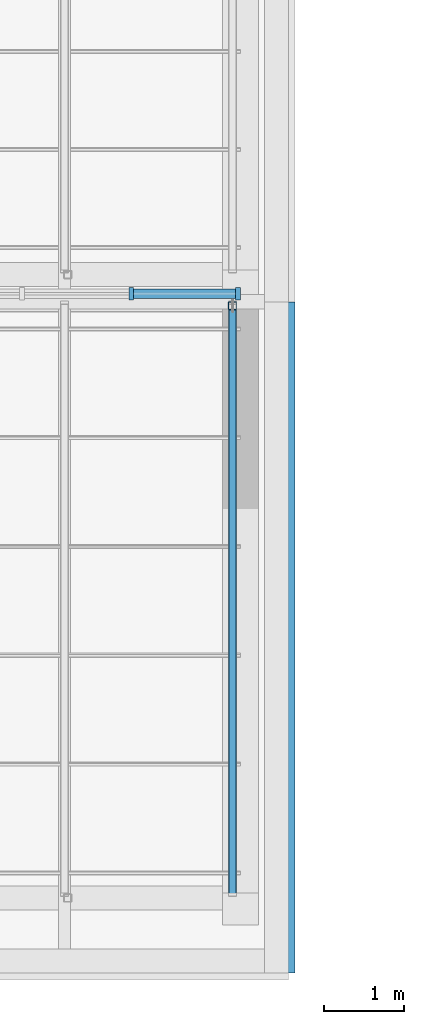
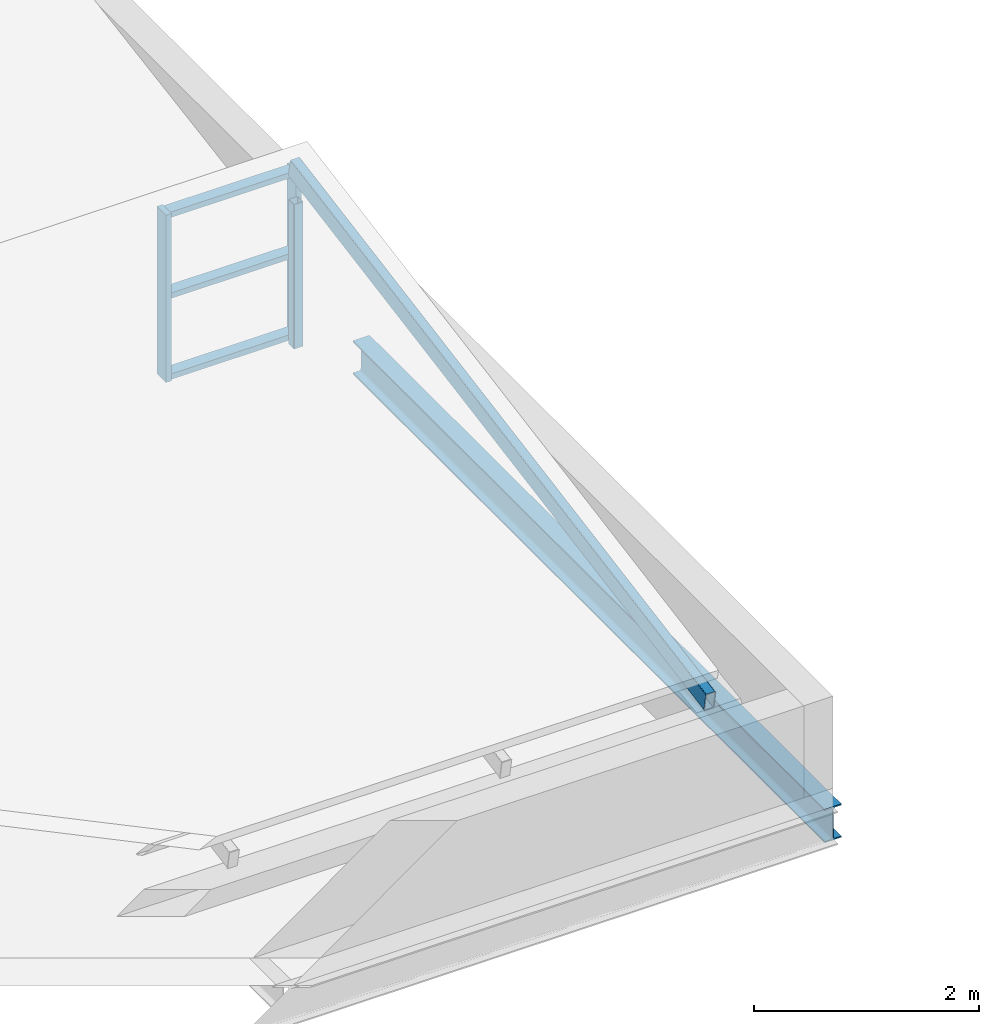
# One storey, part 17 of 42: 7 members, 1 beam, 1 element without a shape of its own.
"""IFC4 building model written with IfcOpenShell, lengths in metres."""

from ifc_helpers import new_model, si_unit, direction, frame, origin, origin_2d, place, context, subcontext, project, spatial, rectangle, hollow_rectangle, i_section, extrude, material, layer, layer_set, material_profile, profile_set, type_object, element, aggregate, save


model = new_model("IFC4")

# Units and contexts
model_context = context("Model", 3, precision=1e-05, world=origin(), true_north=direction((0.0, 1.0)))
body_context = subcontext(model_context, "Body", "Model", "MODEL_VIEW")
ifc_project = project(units=[si_unit("LENGTHUNIT", "METRE"), si_unit("AREAUNIT", "SQUARE_METRE"), si_unit("VOLUMEUNIT", "CUBIC_METRE"), si_unit("PLANEANGLEUNIT", "RADIAN"), si_unit("MASSUNIT", "GRAM", prefix="KILO")], contexts=[model_context])

# Site, building, storey
site_placement = place(None, origin())
site = spatial("IfcSite", under=ifc_project, at=site_placement, CompositionType="ELEMENT")
building_placement = place(site_placement, origin())
building = spatial("IfcBuilding", under=site, at=building_placement, Name="Ardhachandra Cancer Care Centre", CompositionType="ELEMENT")
storey_placement = place(building_placement, frame((0.0, 0.0, 22.5)))
storey = spatial("IfcBuildingStorey", under=building, at=storey_placement, Name="L05", CompositionType="ELEMENT", Elevation=22.5)

# Beam
ifc_material_1 = material(Name="Steel E350 (IS 2062)", Category="steel")
ifc_material_profile_1 = material_profile(ifc_material_1, i_section(OverallWidth=0.172119140625, OverallDepth=0.364013671875, WebThickness=0.00927734375, FlangeThickness=0.0146484375, FilletRadius=0.01806640625, at=origin_2d()), Name="NPB 350x170x66.04")
ifc_profile_set_1 = profile_set([ifc_material_profile_1], Name="Steel E350 (IS 2062)")
beam_type = type_object("IfcBeamType", Name="Beam NPB 350x170x66.04", PredefinedType="BEAM", material=ifc_profile_set_1)
beam_placement = place(storey_placement, frame((44.39990234375, 71.39990234375, -0.382080078125), z_axis=(0.0, 1.0, 0.0), x_axis=(-1.0, 0.0, 0.0)))
element("IfcBeam", 1, at=beam_placement, inside=storey, type_object=beam_type, Name="Edge girder H5-J5", PredefinedType="BEAM", context=body_context, shape_type="SweptSolid", body=[
    extrude(i_section(OverallWidth=0.172119140625, OverallDepth=0.364013671875, WebThickness=0.00927734375, FlangeThickness=0.0146484375, FilletRadius=0.01806640625, at=origin_2d()), origin(), (0.0, 0.0, 1.0), 8.400146484375),
])

# Curtain wall, members
ifc_material_2 = material(Name="Aluminium extrusion", Category="aluminium")
ifc_layer = layer(ifc_material_2, 0.14990234375)
ifc_layer_set = layer_set([ifc_layer], Name="Aluminium extrusion")
curtain_wall_type = type_object("IfcCurtainWallType", Name="Curtain wall run", PredefinedType="NOTDEFINED", material=ifc_layer_set)
curtain_wall_placement = place(storey_placement, origin())
curtain_wall = element("IfcCurtainWall", 2, at=curtain_wall_placement, inside=storey, type_object=curtain_wall_type, Name="Curtain wall L05 n/0019200_0079900", PredefinedType="NOTDEFINED")
ifc_material_3 = material(Name="Aluminium extrusion", Category="aluminium")
ifc_material_profile_2 = material_profile(ifc_material_3, rectangle(XDim=0.159912109375, YDim=0.06005859375, at=origin_2d()), Name="Curtain wall mullion 60 x 160")
ifc_profile_set_2 = profile_set([ifc_material_profile_2], Name="Aluminium extrusion")
member_type_1 = type_object("IfcMemberType", Name="Curtain wall mullion 60 x 160", PredefinedType="MULLION", material=ifc_profile_set_2)
member_1_placement = place(storey_placement, frame((42.433349609375, 79.89990234375, 0.0), z_axis=(0.0, 0.0, 1.0), x_axis=(0.0, 1.0, 0.0)))
member_1 = element("IfcMember", 3, at=member_1_placement, type_object=member_type_1, Name="CW mullion 18", PredefinedType="MULLION", context=body_context, shape_type="SweptSolid", body=[
    extrude(rectangle(XDim=0.159912109375, YDim=0.06005859375, at=origin_2d()), origin(), (0.0, 0.0, 1.0), 1.820068359375),
])
member_2_placement = place(storey_placement, frame((43.77001953125, 79.89990234375, 0.0), z_axis=(0.0, 0.0, 1.0), x_axis=(0.0, 1.0, 0.0)))
member_2 = element("IfcMember", 4, at=member_2_placement, type_object=member_type_1, Name="CW mullion 19", PredefinedType="MULLION", context=body_context, shape_type="SweptSolid", body=[
    extrude(rectangle(XDim=0.159912109375, YDim=0.06005859375, at=origin_2d()), origin(), (0.0, 0.0, 1.0), 1.820068359375),
])
ifc_material_4 = material(Name="Aluminium extrusion", Category="aluminium")
ifc_material_profile_3 = material_profile(ifc_material_4, rectangle(XDim=0.1201171875, YDim=0.06005859375, at=origin_2d()), Name="Curtain wall transom 60 x 120")
ifc_profile_set_3 = profile_set([ifc_material_profile_3], Name="Aluminium extrusion")
member_type_2 = type_object("IfcMemberType", Name="Curtain wall transom 60 x 120", PredefinedType="USERDEFINED", material=ifc_profile_set_3)
member_3_placement = place(storey_placement, frame((42.46337890625, 79.89990234375, 0.030029296875), z_axis=(1.0, 0.0, 0.0), x_axis=(0.0, 1.0, 0.0)))
member_3 = element("IfcMember", 5, at=member_3_placement, type_object=member_type_2, Name="CW transom 18.1", ObjectType="TRANSOM", PredefinedType="USERDEFINED", context=body_context, shape_type="SweptSolid", body=[
    extrude(rectangle(XDim=0.1201171875, YDim=0.06005859375, at=origin_2d()), origin(), (0.0, 0.0, 1.0), 1.276611328125),
])
member_4_placement = place(storey_placement, frame((42.46337890625, 79.89990234375, 0.909912109375), z_axis=(1.0, 0.0, 0.0), x_axis=(0.0, 1.0, 0.0)))
member_4 = element("IfcMember", 6, at=member_4_placement, type_object=member_type_2, Name="CW transom 18.2", ObjectType="TRANSOM", PredefinedType="USERDEFINED", context=body_context, shape_type="SweptSolid", body=[
    extrude(rectangle(XDim=0.1201171875, YDim=0.06005859375, at=origin_2d()), origin(), (0.0, 0.0, 1.0), 1.276611328125),
])
member_5_placement = place(storey_placement, frame((42.46337890625, 79.89990234375, 1.7900390625), z_axis=(1.0, 0.0, 0.0), x_axis=(0.0, 1.0, 0.0)))
member_5 = element("IfcMember", 7, at=member_5_placement, type_object=member_type_2, Name="CW transom 18.3", ObjectType="TRANSOM", PredefinedType="USERDEFINED", context=body_context, shape_type="SweptSolid", body=[
    extrude(rectangle(XDim=0.1201171875, YDim=0.06005859375, at=origin_2d()), origin(), (0.0, 0.0, 1.0), 1.276611328125),
])
aggregate(curtain_wall, [member_1, member_2, member_3, member_4, member_5])

# Members
ifc_material_5 = material(Name="Steel E350 (IS 2062)", Category="steel")
ifc_material_profile_4 = material_profile(ifc_material_5, hollow_rectangle(XDim=0.10009765625, YDim=0.199951171875, WallThickness=0.006103515625, InnerFilletRadius=0.006103515625, OuterFilletRadius=0.011962890625, at=origin_2d()), Name="RHS 200x100x6.0")
ifc_profile_set_4 = profile_set([ifc_material_profile_4], Name="Steel E350 (IS 2062)")
member_type_3 = type_object("IfcMemberType", Name="Roof rafter RHS 200x100x6.0", PredefinedType="RAFTER", material=ifc_profile_set_4)
member_6_placement = place(storey_placement, frame((43.699951171875, 72.38232421875, 0.598388671875), z_axis=(0.0, 0.984459475851, 0.175611902805), x_axis=(-1.0, 0.0, 0.0)))
element("IfcMember", 8, at=member_6_placement, inside=storey, type_object=member_type_3, Name="Rafter NT1a.10", PredefinedType="RAFTER", context=body_context, shape_type="SweptSolid", body=[
    extrude(hollow_rectangle(XDim=0.10009765625, YDim=0.199951171875, WallThickness=0.006103515625, InnerFilletRadius=0.006103515625, OuterFilletRadius=0.011962890625, at=origin_2d()), origin(), (0.0, 0.0, 1.0), 7.516845703125),
])
ifc_material_6 = material(Name="Steel E350 (IS 2062)", Category="steel")
ifc_material_profile_5 = material_profile(ifc_material_6, hollow_rectangle(XDim=0.10009765625, YDim=0.10009765625, WallThickness=0.0048828125, InnerFilletRadius=0.0048828125, OuterFilletRadius=0.010009765625, at=origin_2d()), Name="SHS 100x100x5.0")
ifc_profile_set_5 = profile_set([ifc_material_profile_5], Name="Steel E350 (IS 2062)")
member_type_4 = type_object("IfcMemberType", Name="Sawtooth ridge post SHS 100x100x5.0", PredefinedType="POST", material=ifc_profile_set_5)
member_7_placement = place(storey_placement, frame((43.699951171875, 79.75, 0.0), z_axis=(0.0, 0.0, 1.0), x_axis=(1.0, 0.0, 0.0)))
element("IfcMember", 9, at=member_7_placement, inside=storey, type_object=member_type_4, Name="Ridge post NT1a.4", PredefinedType="POST", context=body_context, shape_type="SweptSolid", body=[
    extrude(hollow_rectangle(XDim=0.10009765625, YDim=0.10009765625, WallThickness=0.0048828125, InnerFilletRadius=0.0048828125, OuterFilletRadius=0.010009765625, at=origin_2d()), origin(), (0.0, 0.0, 1.0), 1.569091796875),
])

save(model, "model.ifc")
